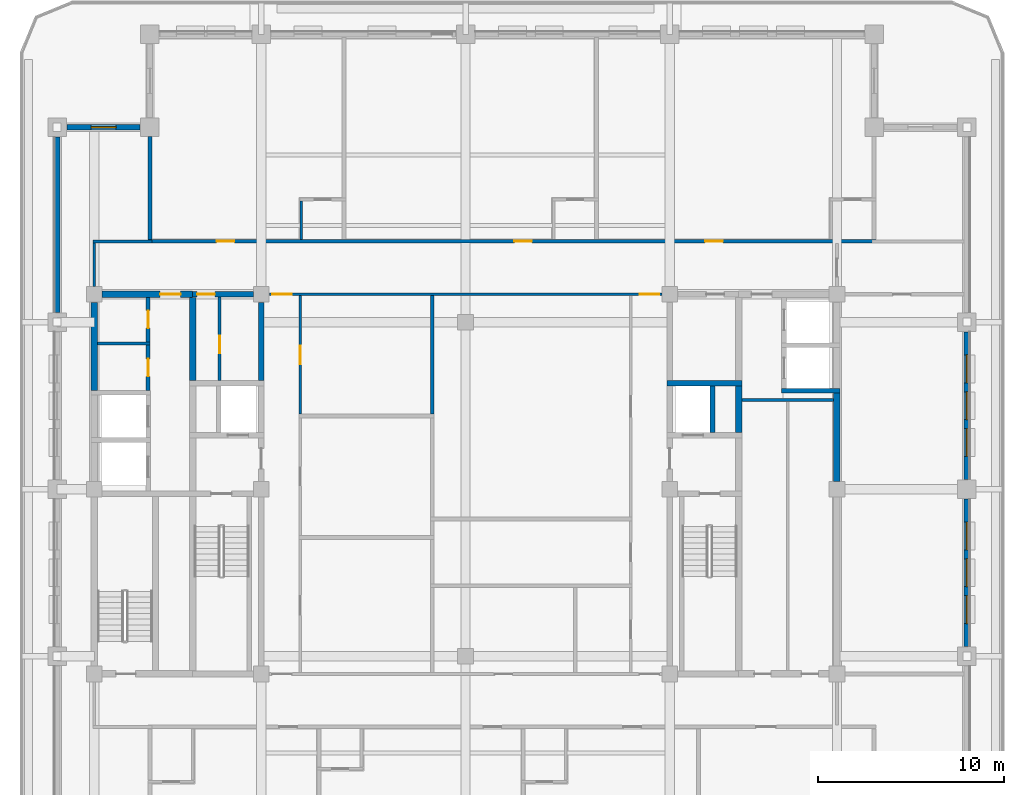
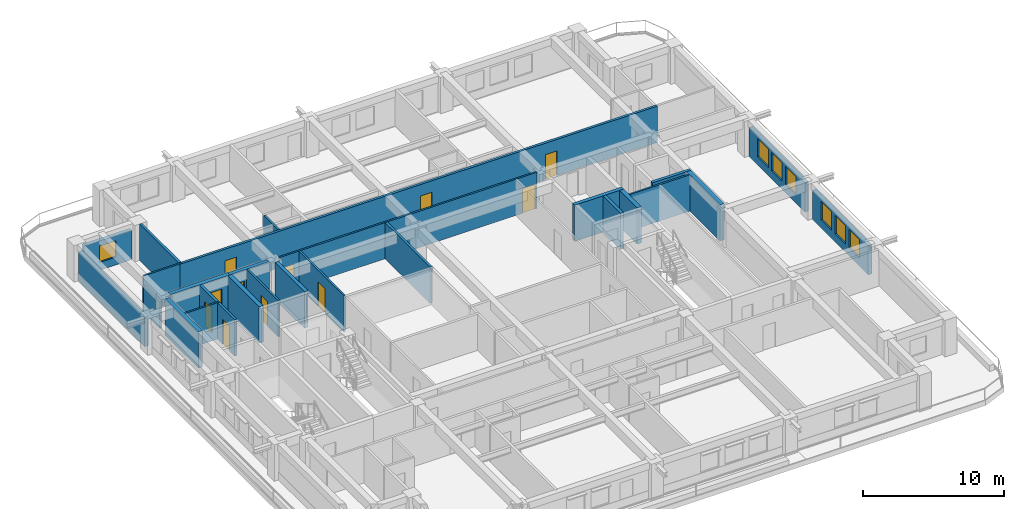
# One storey, part 5 of 13: 27 walls, 11 doors, 7 windows, 18 openings.
"""IFC4 building model written with IfcOpenShell, lengths in metres."""

from ifc_helpers import new_model, si_unit, direction, frame, frame_2d, origin, place, context, subcontext, project, spatial, rectangle, extrude, material, layer, layer_set, type_object, element, fill, save


model = new_model("IFC4")

# Units and contexts
model_context = context("Model", 3, precision=1e-05, world=origin(), true_north=direction((0.0, 1.0)))
body_context = subcontext(model_context, "Body", "Model", "MODEL_VIEW")
ifc_project = project(units=[si_unit("LENGTHUNIT", "METRE"), si_unit("AREAUNIT", "SQUARE_METRE"), si_unit("VOLUMEUNIT", "CUBIC_METRE"), si_unit("PLANEANGLEUNIT", "RADIAN"), si_unit("MASSUNIT", "GRAM", prefix="KILO")], contexts=[model_context])

# Site, building, storey
site_placement = place(None, origin())
site = spatial("IfcSite", under=ifc_project, at=site_placement, CompositionType="ELEMENT")
building_placement = place(site_placement, origin())
building = spatial("IfcBuilding", under=site, at=building_placement, Name="Zulmaris Gate Convention Tower", CompositionType="ELEMENT")
storey_placement = place(building_placement, frame((0.0, 0.0, 169.4599609375)))
storey = spatial("IfcBuildingStorey", under=building, at=storey_placement, Name="L43", CompositionType="ELEMENT", Elevation=169.4599609375)

# Walls
ifc_material_1 = material(Name="Concrete C50/60", Category="concrete")
ifc_layer_1 = layer(ifc_material_1, 0.25, Name="Concrete C50/60")
ifc_layer_set_1 = layer_set([ifc_layer_1], Name="Concrete C50/60")
wall_type_1 = type_object("IfcWallType", Name="CORE-250", PredefinedType="SOLIDWALL", material=ifc_layer_set_1)
wall_1_placement = place(storey_placement, frame((17.02490234375, 5.300048828125, 0.0), z_axis=(0.0, 0.0, 1.0), x_axis=(1.0, 0.0, 0.0)))
element("IfcWall", 1, at=wall_1_placement, inside=storey, type_object=wall_type_1, Name="WL-L43-011", PredefinedType="SOLIDWALL", context=body_context, shape_type="SweptSolid", body=[
    extrude(rectangle(XDim=3.150146484375, YDim=0.25, at=frame_2d((1.5751953125, 0.0))), origin(), (0.0, 0.0, 1.0), 3.14990234375),
])
wall_2_placement = place(storey_placement, frame((13.300048828125, 3.052001953125, 0.0), z_axis=(0.0, 0.0, 1.0), x_axis=(0.0, 1.0, 0.0)))
element("IfcWall", 2, at=wall_2_placement, inside=storey, type_object=wall_type_1, Name="WL-L43-062", PredefinedType="SOLIDWALL", context=body_context, shape_type="SweptSolid", body=[
    extrude(rectangle(XDim=2.49609375, YDim=0.25, at=frame_2d((1.248046875, 0.0))), origin(), (0.0, 0.0, 1.0), 3.14990234375),
])
ifc_layer_2 = layer(ifc_material_1, 0.300048828125, Name="Concrete C50/60")
ifc_layer_set_2 = layer_set([ifc_layer_2], Name="Concrete C50/60")
wall_type_2 = type_object("IfcWallType", Name="CORE-300", PredefinedType="SHEAR", material=ifc_layer_set_2)
wall_3_placement = place(storey_placement, frame((10.85009765625, 5.699951171875, 0.0), z_axis=(0.0, 0.0, 1.0), x_axis=(1.0, 0.0, 0.0)))
element("IfcWall", 3, at=wall_3_placement, inside=storey, type_object=wall_type_2, Name="WL-L43-013", PredefinedType="SHEAR", context=body_context, shape_type="SweptSolid", body=[
    extrude(rectangle(XDim=4.02490234375, YDim=0.300048828125, at=frame_2d((2.012451171875, 0.0))), origin(), (0.0, 0.0, 1.0), 3.14990234375),
])

# Wall, opening, door
wall_4_placement = place(storey_placement, frame((-14.699951171875, 10.5, 0.0), z_axis=(0.0, 0.0, 1.0), x_axis=(1.0, 0.0, 0.0)))
wall_4 = element("IfcWall", 4, at=wall_4_placement, inside=storey, type_object=wall_type_2, Name="WL-L43-016", PredefinedType="SHEAR", context=body_context, shape_type="SweptSolid", body=[
    extrude(rectangle(XDim=3.27099609375, YDim=0.300048828125, at=frame_2d((1.635498046875, 0.0))), origin(), (0.0, 0.0, 1.0), 3.14990234375),
])
opening_1_placement = place(wall_4_placement, frame((0.2451171875, 0.0, 0.0)))
opening_1 = element("IfcOpeningElement", 5, at=opening_1_placement, cuts=wall_4, Name="Opening D-11", PredefinedType="OPENING", context=body_context, shape_type="SweptSolid", body=[
    extrude(rectangle(XDim=0.949951171875, YDim=2.14990234375, at=frame_2d((0.47509765625, 1.074951171875))), frame((0.0, 0.16015625, 0.0), z_axis=(0.0, -1.0, 0.0), x_axis=(1.0, 0.0, 0.0)), (0.0, 0.0, 1.0), 0.320068359375),
])
ifc_material_2 = material(Name="Fire-Rated Timber", Category="wood")
door_type_1 = type_object("IfcDoorType", Name="DR-950-FD", OperationType="NOTDEFINED", PredefinedType="DOOR", material=ifc_material_2)
door_1_placement = place(opening_1_placement, origin())
door_1 = element("IfcDoor", 6, at=door_1_placement, inside=storey, type_object=door_type_1, Name="L43 Core Mail Room Door 07", OperationType="SINGLE_SWING_RIGHT", OverallHeight=2.14990234375, OverallWidth=0.949951171875, PredefinedType="DOOR", context=body_context, shape_type="SweptSolid", body=[
    extrude(rectangle(XDim=0.949951171875, YDim=2.14990234375, at=frame_2d((0.47509765625, 1.074951171875))), frame((0.0, 0.02490234375, 0.0), z_axis=(0.0, -1.0, 0.0), x_axis=(1.0, 0.0, 0.0)), (0.0, 0.0, 1.0), 0.050048828125),
])
fill(opening_1, door_1)

# Wall
wall_5_placement = place(storey_placement, frame((-11.0, 5.85205078125, 0.0), z_axis=(0.0, 0.0, 1.0), x_axis=(0.0, 1.0, 0.0)))
element("IfcWall", 7, at=wall_5_placement, inside=storey, type_object=wall_type_2, Name="WL-L43-056", PredefinedType="SHEAR", context=body_context, shape_type="SweptSolid", body=[
    extrude(rectangle(XDim=4.218994140625, YDim=0.300048828125, at=frame_2d((2.109375, 0.0))), origin(), (0.0, 0.0, 1.0), 3.14990234375),
])

# Wall, opening, door
ifc_material_3 = material(Name="Concrete C55/67", Category="concrete")
ifc_layer_3 = layer(ifc_material_3, 0.35009765625, Name="Concrete C55/67")
ifc_layer_set_3 = layer_set([ifc_layer_3], Name="Concrete C55/67")
wall_type_3 = type_object("IfcWallType", Name="CORE-350", PredefinedType="SHEAR", material=ifc_layer_set_3)
wall_6_placement = place(storey_placement, frame((-19.571044921875, 10.5, 0.0), z_axis=(0.0, 0.0, 1.0), x_axis=(1.0, 0.0, 0.0)))
wall_6 = element("IfcWall", 8, at=wall_6_placement, inside=storey, type_object=wall_type_3, Name="WL-L43-015", PredefinedType="SHEAR", context=body_context, shape_type="SweptSolid", body=[
    extrude(rectangle(XDim=4.87109375, YDim=0.35009765625, at=frame_2d((2.435546875, 0.0))), origin(), (0.0, 0.0, 1.0), 3.14990234375),
])
opening_2_placement = place(wall_6_placement, frame((3.12109375, 0.0, 0.0)))
opening_2 = element("IfcOpeningElement", 9, at=opening_2_placement, cuts=wall_6, Name="Opening D-08", PredefinedType="OPENING", context=body_context, shape_type="SweptSolid", body=[
    extrude(rectangle(XDim=1.10009765625, YDim=2.14990234375, at=frame_2d((0.550048828125, 1.074951171875))), frame((0.0, 0.18505859375, 0.0), z_axis=(0.0, -1.0, 0.0), x_axis=(1.0, 0.0, 0.0)), (0.0, 0.0, 1.0), 0.3701171875),
])
ifc_material_4 = material(Name="Fire-Rated Steel", Category="steel")
door_type_2 = type_object("IfcDoorType", Name="DR-1100-FD", OperationType="NOTDEFINED", PredefinedType="DOOR", material=ifc_material_4)
door_2_placement = place(opening_2_placement, origin())
door_2 = element("IfcDoor", 10, at=door_2_placement, inside=storey, type_object=door_type_2, Name="L43 High-Rise West Lift Lobby Door 13", OperationType="SINGLE_SWING_RIGHT", OverallHeight=2.14990234375, OverallWidth=1.10009765625, PredefinedType="DOOR", context=body_context, shape_type="SweptSolid", body=[
    extrude(rectangle(XDim=1.10009765625, YDim=2.14990234375, at=frame_2d((0.550048828125, 1.074951171875))), frame((0.0, 0.02490234375, 0.0), z_axis=(0.0, -1.0, 0.0), x_axis=(1.0, 0.0, 0.0)), (0.0, 0.0, 1.0), 0.050048828125),
])
fill(opening_2, door_2)

# Walls
wall_7_placement = place(storey_placement, frame((-20.0, 5.326904296875, 0.0), z_axis=(0.0, 0.0, 1.0), x_axis=(0.0, 1.0, 0.0)))
element("IfcWall", 11, at=wall_7_placement, inside=storey, type_object=wall_type_3, Name="WL-L43-043", PredefinedType="SHEAR", context=body_context, shape_type="SweptSolid", body=[
    extrude(rectangle(XDim=4.744140625, YDim=0.35009765625, at=frame_2d((2.3720703125, 0.0))), origin(), (0.0, 0.0, 1.0), 3.14990234375),
])
wall_8_placement = place(storey_placement, frame((-14.699951171875, 5.85205078125, 0.0), z_axis=(0.0, 0.0, 1.0), x_axis=(0.0, 1.0, 0.0)))
element("IfcWall", 12, at=wall_8_placement, inside=storey, type_object=wall_type_3, Name="WL-L43-050", PredefinedType="SHEAR", context=body_context, shape_type="SweptSolid", body=[
    extrude(rectangle(XDim=4.470947265625, YDim=0.35009765625, at=frame_2d((2.2353515625, 0.0))), origin(), (0.0, 0.0, 1.0), 3.14990234375),
])
wall_9_placement = place(storey_placement, frame((14.699951171875, 3.052001953125, 0.0), z_axis=(0.0, 0.0, 1.0), x_axis=(0.0, 1.0, 0.0)))
element("IfcWall", 13, at=wall_9_placement, inside=storey, type_object=wall_type_3, Name="WL-L43-065", PredefinedType="SHEAR", context=body_context, shape_type="SweptSolid", body=[
    extrude(rectangle(XDim=2.49609375, YDim=0.35009765625, at=frame_2d((1.248046875, 0.0))), origin(), (0.0, 0.0, 1.0), 3.14990234375),
])
wall_10_placement = place(storey_placement, frame((20.0, 0.428955078125, 0.0), z_axis=(0.0, 0.0, 1.0), x_axis=(0.0, 1.0, 0.0)))
element("IfcWall", 14, at=wall_10_placement, inside=storey, type_object=wall_type_3, Name="WL-L43-069S1", PredefinedType="SHEAR", context=body_context, shape_type="SweptSolid", body=[
    extrude(rectangle(XDim=4.744140625, YDim=0.35009765625, at=frame_2d((2.3720703125, 0.0))), origin(), (0.0, 0.0, 1.0), 3.14990234375),
])
ifc_material_5 = material(Name="Gypsum Metal Stud Partition")
ifc_layer_4 = layer(ifc_material_5, 0.14990234375, Name="Gypsum Metal Stud Partition")
ifc_layer_set_4 = layer_set([ifc_layer_4], Name="Gypsum Metal Stud Partition")
wall_type_4 = type_object("IfcWallType", Name="PART-150", PredefinedType="PARTITIONING", material=ifc_layer_set_4)
wall_11_placement = place(storey_placement, frame((14.8779296875, 4.800048828125, 0.0), z_axis=(0.0, 0.0, 1.0), x_axis=(1.0, 0.0, 0.0)))
element("IfcWall", 15, at=wall_11_placement, inside=storey, type_object=wall_type_4, Name="WL-L43-030", PredefinedType="PARTITIONING", context=body_context, shape_type="SweptSolid", body=[
    extrude(rectangle(XDim=4.944091796875, YDim=0.14990234375, at=frame_2d((2.47216796875, 0.0))), origin(), (0.0, 0.0, 1.0), 3.14990234375),
])
wall_12_placement = place(storey_placement, frame((-19.822021484375, 7.85009765625, 0.0), z_axis=(0.0, 0.0, 1.0), x_axis=(1.0, 0.0, 0.0)))
element("IfcWall", 16, at=wall_12_placement, inside=storey, type_object=wall_type_4, Name="WL-L43-031", PredefinedType="PARTITIONING", context=body_context, shape_type="SweptSolid", body=[
    extrude(rectangle(XDim=2.822021484375, YDim=0.14990234375, at=frame_2d((1.4111328125, 0.0))), origin(), (0.0, 0.0, 1.0), 3.14990234375),
])

# Wall, openings, doors
wall_13_placement = place(storey_placement, frame((-10.569091796875, 10.5, 0.0), z_axis=(0.0, 0.0, 1.0), x_axis=(1.0, 0.0, 0.0)))
wall_13 = element("IfcWall", 17, at=wall_13_placement, inside=storey, type_object=wall_type_4, Name="WL-L43-032", PredefinedType="PARTITIONING", context=body_context, shape_type="SweptSolid", body=[
    extrude(rectangle(XDim=21.13818359375, YDim=0.14990234375, at=frame_2d((10.569091796875, 0.0))), origin(), (0.0, 0.0, 1.0), 3.14990234375),
])
opening_3_placement = place(wall_13_placement, frame((0.14990234375, 0.0, 0.0)))
opening_3 = element("IfcOpeningElement", 18, at=opening_3_placement, cuts=wall_13, Name="Opening D-09", PredefinedType="OPENING", context=body_context, shape_type="SweptSolid", body=[
    extrude(rectangle(XDim=1.050048828125, YDim=2.14990234375, at=frame_2d((0.52490234375, 1.074951171875))), frame((0.0, 0.0849609375, 0.0), z_axis=(0.0, -1.0, 0.0), x_axis=(1.0, 0.0, 0.0)), (0.0, 0.0, 1.0), 0.169921875),
])
opening_4_placement = place(wall_13_placement, frame((19.93798828125, 0.0, 0.0)))
opening_4 = element("IfcOpeningElement", 19, at=opening_4_placement, cuts=wall_13, Name="Opening D-09", PredefinedType="OPENING", context=body_context, shape_type="SweptSolid", body=[
    extrude(rectangle(XDim=1.050048828125, YDim=2.14990234375, at=frame_2d((0.52490234375, 1.074951171875))), frame((0.0, 0.0849609375, 0.0), z_axis=(0.0, -1.0, 0.0), x_axis=(1.0, 0.0, 0.0)), (0.0, 0.0, 1.0), 0.169921875),
])
door_type_3 = type_object("IfcDoorType", Name="DR-1050-FD", OperationType="NOTDEFINED", PredefinedType="DOOR", material=ifc_material_4)
door_3_placement = place(opening_3_placement, origin())
door_3 = element("IfcDoor", 20, at=door_3_placement, inside=storey, type_object=door_type_3, Name="L43 NW Hotel Loop Door 21", OperationType="SINGLE_SWING_RIGHT", OverallHeight=2.14990234375, OverallWidth=1.050048828125, PredefinedType="DOOR", context=body_context, shape_type="SweptSolid", body=[
    extrude(rectangle(XDim=1.050048828125, YDim=2.14990234375, at=frame_2d((0.52490234375, 1.074951171875))), frame((0.0, 0.02490234375, 0.0), z_axis=(0.0, -1.0, 0.0), x_axis=(1.0, 0.0, 0.0)), (0.0, 0.0, 1.0), 0.050048828125),
])
fill(opening_3, door_3)
door_4_placement = place(opening_4_placement, origin())
door_4 = element("IfcDoor", 21, at=door_4_placement, inside=storey, type_object=door_type_3, Name="L43 NE Hotel Loop Door 23", OperationType="SINGLE_SWING_RIGHT", OverallHeight=2.14990234375, OverallWidth=1.050048828125, PredefinedType="DOOR", context=body_context, shape_type="SweptSolid", body=[
    extrude(rectangle(XDim=1.050048828125, YDim=2.14990234375, at=frame_2d((0.52490234375, 1.074951171875))), frame((0.0, 0.02490234375, 0.0), z_axis=(0.0, -1.0, 0.0), x_axis=(1.0, 0.0, 0.0)), (0.0, 0.0, 1.0), 0.050048828125),
])
fill(opening_4, door_4)

# Walls
wall_14_placement = place(storey_placement, frame((-20.074951171875, 13.35009765625, 0.0), z_axis=(0.0, 0.0, 1.0), x_axis=(1.0, 0.0, 0.0)))
element("IfcWall", 22, at=wall_14_placement, inside=storey, type_object=wall_type_4, Name="WL-L43-034", PredefinedType="PARTITIONING", context=body_context, shape_type="SweptSolid", body=[
    extrude(rectangle(XDim=3.175048828125, YDim=0.14990234375, at=frame_2d((1.58740234375, 0.0))), origin(), (0.0, 0.0, 1.0), 3.14990234375),
])
wall_15_placement = place(storey_placement, frame((-20.0, 10.930908203125, 0.0), z_axis=(0.0, 0.0, 1.0), x_axis=(0.0, 1.0, 0.0)))
element("IfcWall", 23, at=wall_15_placement, inside=storey, type_object=wall_type_4, Name="WL-L43-073", PredefinedType="PARTITIONING", context=body_context, shape_type="SweptSolid", body=[
    extrude(rectangle(XDim=2.341064453125, YDim=0.14990234375, at=frame_2d((1.17041015625, 0.0))), origin(), (0.0, 0.0, 1.0), 2.342041015625),
])

# Wall, opening, door
wall_16_placement = place(storey_placement, frame((-13.25, 5.85302734375, 0.0), z_axis=(0.0, 0.0, 1.0), x_axis=(0.0, 1.0, 0.0)))
wall_16 = element("IfcWall", 24, at=wall_16_placement, inside=storey, type_object=wall_type_4, Name="WL-L43-080", PredefinedType="PARTITIONING", context=body_context, shape_type="SweptSolid", body=[
    extrude(rectangle(XDim=4.493896484375, YDim=0.14990234375, at=frame_2d((2.2470703125, 0.0))), origin(), (0.0, 0.0, 1.0), 3.14990234375),
])
opening_5_placement = place(wall_16_placement, frame((1.471923828125, 0.0, 0.0)))
opening_5 = element("IfcOpeningElement", 25, at=opening_5_placement, cuts=wall_16, Name="Opening D-11", PredefinedType="OPENING", context=body_context, shape_type="SweptSolid", body=[
    extrude(rectangle(XDim=0.949951171875, YDim=2.14990234375, at=frame_2d((0.47509765625, 1.074951171875))), frame((0.0, 0.0849609375, 0.0), z_axis=(0.0, -1.0, 0.0), x_axis=(1.0, 0.0, 0.0)), (0.0, 0.0, 1.0), 0.169921875),
])
door_5_placement = place(opening_5_placement, origin())
door_5 = element("IfcDoor", 26, at=door_5_placement, inside=storey, type_object=door_type_1, Name="L43 Core Janitor Door 08", OperationType="SINGLE_SWING_LEFT", OverallHeight=2.14990234375, OverallWidth=0.949951171875, PredefinedType="DOOR", context=body_context, shape_type="SweptSolid", body=[
    extrude(rectangle(XDim=0.949951171875, YDim=2.14990234375, at=frame_2d((0.47509765625, 1.074951171875))), frame((0.0, 0.02490234375, 0.0), z_axis=(0.0, -1.0, 0.0), x_axis=(1.0, 0.0, 0.0)), (0.0, 0.0, 1.0), 0.050048828125),
])
fill(opening_5, door_5)

wall_17_placement = place(storey_placement, frame((-8.89990234375, 4.052978515625, 0.0), z_axis=(0.0, 0.0, 1.0), x_axis=(0.0, 1.0, 0.0)))
wall_17 = element("IfcWall", 27, at=wall_17_placement, inside=storey, type_object=wall_type_4, Name="WL-L43-083", PredefinedType="PARTITIONING", context=body_context, shape_type="SweptSolid", body=[
    extrude(rectangle(XDim=6.369140625, YDim=0.14990234375, at=frame_2d((3.1845703125, 0.0))), origin(), (0.0, 0.0, 1.0), 3.14990234375),
])
opening_6_placement = place(wall_17_placement, frame((2.6669921875, 0.0, 0.0)))
opening_6 = element("IfcOpeningElement", 28, at=opening_6_placement, cuts=wall_17, Name="Opening D-10", PredefinedType="OPENING", context=body_context, shape_type="SweptSolid", body=[
    extrude(rectangle(XDim=1.0, YDim=2.14990234375, at=frame_2d((0.5, 1.074951171875))), frame((0.0, 0.0849609375, 0.0), z_axis=(0.0, -1.0, 0.0), x_axis=(1.0, 0.0, 0.0)), (0.0, 0.0, 1.0), 0.169921875),
])
door_type_4 = type_object("IfcDoorType", Name="DR-1000-FD", OperationType="NOTDEFINED", PredefinedType="DOOR", material=ifc_material_2)
door_6_placement = place(opening_6_placement, origin())
door_6 = element("IfcDoor", 29, at=door_6_placement, inside=storey, type_object=door_type_4, Name="L43 Club Lounge Door 38", OperationType="SINGLE_SWING_LEFT", OverallHeight=2.14990234375, OverallWidth=1.0, PredefinedType="DOOR", context=body_context, shape_type="SweptSolid", body=[
    extrude(rectangle(XDim=1.0, YDim=2.14990234375, at=frame_2d((0.5, 1.074951171875))), frame((0.0, 0.02490234375, 0.0), z_axis=(0.0, -1.0, 0.0), x_axis=(1.0, 0.0, 0.0)), (0.0, 0.0, 1.0), 0.050048828125),
])
fill(opening_6, door_6)

# Wall
wall_18_placement = place(storey_placement, frame((-8.85009765625, 13.452880859375, 0.0), z_axis=(0.0, 0.0, 1.0), x_axis=(0.0, 1.0, 0.0)))
element("IfcWall", 30, at=wall_18_placement, inside=storey, type_object=wall_type_4, Name="WL-L43-084", PredefinedType="PARTITIONING", context=body_context, shape_type="SweptSolid", body=[
    extrude(rectangle(XDim=2.069091796875, YDim=0.14990234375, at=frame_2d((1.03466796875, 0.0))), origin(), (0.0, 0.0, 1.0), 3.14990234375),
])

# Wall, openings, doors
ifc_material_6 = material(Name="Autoclaved Aerated Concrete Block and Plasterboard", Category="concrete")
ifc_layer_5 = layer(ifc_material_6, 0.199951171875, Name="Autoclaved Aerated Concrete Block and Plasterboard")
ifc_layer_set_5 = layer_set([ifc_layer_5], Name="Autoclaved Aerated Concrete Block and Plasterboard")
wall_type_5 = type_object("IfcWallType", Name="PART-200", PredefinedType="PARTITIONING", material=ifc_layer_set_5)
wall_19_placement = place(storey_placement, frame((-17.10009765625, 13.35009765625, 0.0), z_axis=(0.0, 0.0, 1.0), x_axis=(1.0, 0.0, 0.0)))
wall_19 = element("IfcWall", 31, at=wall_19_placement, inside=storey, type_object=wall_type_5, Name="WL-L43-035", PredefinedType="PARTITIONING", context=body_context, shape_type="SweptSolid", body=[
    extrude(rectangle(XDim=39.2001953125, YDim=0.199951171875, at=frame_2d((19.60009765625, 0.0))), origin(), (0.0, 0.0, 1.0), 3.14990234375),
])
opening_7_placement = place(wall_19_placement, frame((3.695068359375, 0.0, 0.0)))
opening_7 = element("IfcOpeningElement", 32, at=opening_7_placement, cuts=wall_19, Name="Opening D-11", PredefinedType="OPENING", context=body_context, shape_type="SweptSolid", body=[
    extrude(rectangle(XDim=0.949951171875, YDim=2.14990234375, at=frame_2d((0.47509765625, 1.074951171875))), frame((0.0, 0.10986328125, 0.0), z_axis=(0.0, -1.0, 0.0), x_axis=(1.0, 0.0, 0.0)), (0.0, 0.0, 1.0), 0.219970703125),
])
opening_8_placement = place(wall_19_placement, frame((19.72509765625, 0.0, 0.0)))
opening_8 = element("IfcOpeningElement", 33, at=opening_8_placement, cuts=wall_19, Name="Opening D-11", PredefinedType="OPENING", context=body_context, shape_type="SweptSolid", body=[
    extrude(rectangle(XDim=0.949951171875, YDim=2.14990234375, at=frame_2d((0.47509765625, 1.074951171875))), frame((0.0, 0.10986328125, 0.0), z_axis=(0.0, -1.0, 0.0), x_axis=(1.0, 0.0, 0.0)), (0.0, 0.0, 1.0), 0.219970703125),
])
opening_9_placement = place(wall_19_placement, frame((30.0048828125, 0.0, 0.0)))
opening_9 = element("IfcOpeningElement", 34, at=opening_9_placement, cuts=wall_19, Name="Opening D-11", PredefinedType="OPENING", context=body_context, shape_type="SweptSolid", body=[
    extrude(rectangle(XDim=0.949951171875, YDim=2.14990234375, at=frame_2d((0.47509765625, 1.074951171875))), frame((0.0, 0.10986328125, 0.0), z_axis=(0.0, -1.0, 0.0), x_axis=(1.0, 0.0, 0.0)), (0.0, 0.0, 1.0), 0.219970703125),
])
door_7_placement = place(opening_7_placement, origin())
door_7 = element("IfcDoor", 35, at=door_7_placement, inside=storey, type_object=door_type_1, Name="L43 Hotel Diplomatic Suite Door 25", OperationType="SINGLE_SWING_RIGHT", OverallHeight=2.14990234375, OverallWidth=0.949951171875, PredefinedType="DOOR", context=body_context, shape_type="SweptSolid", body=[
    extrude(rectangle(XDim=0.949951171875, YDim=2.14990234375, at=frame_2d((0.47509765625, 1.074951171875))), frame((0.0, 0.02490234375, 0.0), z_axis=(0.0, -1.0, 0.0), x_axis=(1.0, 0.0, 0.0)), (0.0, 0.0, 1.0), 0.050048828125),
])
fill(opening_7, door_7)
door_8_placement = place(opening_8_placement, origin())
door_8 = element("IfcDoor", 36, at=door_8_placement, inside=storey, type_object=door_type_1, Name="L43 Hotel Diplomatic Suite Door 27", OperationType="SINGLE_SWING_RIGHT", OverallHeight=2.14990234375, OverallWidth=0.949951171875, PredefinedType="DOOR", context=body_context, shape_type="SweptSolid", body=[
    extrude(rectangle(XDim=0.949951171875, YDim=2.14990234375, at=frame_2d((0.47509765625, 1.074951171875))), frame((0.0, 0.02490234375, 0.0), z_axis=(0.0, -1.0, 0.0), x_axis=(1.0, 0.0, 0.0)), (0.0, 0.0, 1.0), 0.050048828125),
])
fill(opening_8, door_8)
door_9_placement = place(opening_9_placement, origin())
door_9 = element("IfcDoor", 37, at=door_9_placement, inside=storey, type_object=door_type_1, Name="L43 Hotel Diplomatic Suite Door 29", OperationType="SINGLE_SWING_RIGHT", OverallHeight=2.14990234375, OverallWidth=0.949951171875, PredefinedType="DOOR", context=body_context, shape_type="SweptSolid", body=[
    extrude(rectangle(XDim=0.949951171875, YDim=2.14990234375, at=frame_2d((0.47509765625, 1.074951171875))), frame((0.0, 0.02490234375, 0.0), z_axis=(0.0, -1.0, 0.0), x_axis=(1.0, 0.0, 0.0)), (0.0, 0.0, 1.0), 0.050048828125),
])
fill(opening_9, door_9)

# Wall, opening, door
wall_20_placement = place(storey_placement, frame((-17.10009765625, 5.327880859375, 0.0), z_axis=(0.0, 0.0, 1.0), x_axis=(0.0, 1.0, 0.0)))
wall_20 = element("IfcWall", 38, at=wall_20_placement, inside=storey, type_object=wall_type_5, Name="WL-L43-074", PredefinedType="PARTITIONING", context=body_context, shape_type="SweptSolid", body=[
    extrude(rectangle(XDim=2.444091796875, YDim=0.199951171875, at=frame_2d((1.22216796875, 0.0))), origin(), (0.0, 0.0, 1.0), 3.14990234375),
])
opening_10_placement = place(wall_20_placement, frame((0.7470703125, 0.0, 0.0)))
opening_10 = element("IfcOpeningElement", 39, at=opening_10_placement, cuts=wall_20, Name="Opening D-11", PredefinedType="OPENING", context=body_context, shape_type="SweptSolid", body=[
    extrude(rectangle(XDim=0.949951171875, YDim=2.14990234375, at=frame_2d((0.47509765625, 1.074951171875))), frame((0.0, 0.10986328125, 0.0), z_axis=(0.0, -1.0, 0.0), x_axis=(1.0, 0.0, 0.0)), (0.0, 0.0, 1.0), 0.219970703125),
])
door_10_placement = place(opening_10_placement, origin())
door_10 = element("IfcDoor", 40, at=door_10_placement, inside=storey, type_object=door_type_1, Name="L43 Valet Closet Door 15", OperationType="SINGLE_SWING_RIGHT", OverallHeight=2.14990234375, OverallWidth=0.949951171875, PredefinedType="DOOR", context=body_context, shape_type="SweptSolid", body=[
    extrude(rectangle(XDim=0.949951171875, YDim=2.14990234375, at=frame_2d((0.47509765625, 1.074951171875))), frame((0.0, 0.02490234375, 0.0), z_axis=(0.0, -1.0, 0.0), x_axis=(1.0, 0.0, 0.0)), (0.0, 0.0, 1.0), 0.050048828125),
])
fill(opening_10, door_10)

wall_21_placement = place(storey_placement, frame((-17.10009765625, 7.927978515625, 0.0), z_axis=(0.0, 0.0, 1.0), x_axis=(0.0, 1.0, 0.0)))
wall_21 = element("IfcWall", 41, at=wall_21_placement, inside=storey, type_object=wall_type_5, Name="WL-L43-075", PredefinedType="PARTITIONING", context=body_context, shape_type="SweptSolid", body=[
    extrude(rectangle(XDim=2.39404296875, YDim=0.199951171875, at=frame_2d((1.197021484375, 0.0))), origin(), (0.0, 0.0, 1.0), 3.14990234375),
])
opening_11_placement = place(wall_21_placement, frame((0.7470703125, 0.0, 0.0)))
opening_11 = element("IfcOpeningElement", 42, at=opening_11_placement, cuts=wall_21, Name="Opening D-11", PredefinedType="OPENING", context=body_context, shape_type="SweptSolid", body=[
    extrude(rectangle(XDim=0.949951171875, YDim=2.14990234375, at=frame_2d((0.47509765625, 1.074951171875))), frame((0.0, 0.10986328125, 0.0), z_axis=(0.0, -1.0, 0.0), x_axis=(1.0, 0.0, 0.0)), (0.0, 0.0, 1.0), 0.219970703125),
])
door_11_placement = place(opening_11_placement, origin())
door_11 = element("IfcDoor", 43, at=door_11_placement, inside=storey, type_object=door_type_1, Name="L43 Housekeeping Door 14", OperationType="SINGLE_SWING_LEFT", OverallHeight=2.14990234375, OverallWidth=0.949951171875, PredefinedType="DOOR", context=body_context, shape_type="SweptSolid", body=[
    extrude(rectangle(XDim=0.949951171875, YDim=2.14990234375, at=frame_2d((0.47509765625, 1.074951171875))), frame((0.0, 0.02490234375, 0.0), z_axis=(0.0, -1.0, 0.0), x_axis=(1.0, 0.0, 0.0)), (0.0, 0.0, 1.0), 0.050048828125),
])
fill(opening_11, door_11)

# Walls
wall_22_placement = place(storey_placement, frame((-17.0, 13.452880859375, 0.0), z_axis=(0.0, 0.0, 1.0), x_axis=(0.0, 1.0, 0.0)))
element("IfcWall", 44, at=wall_22_placement, inside=storey, type_object=wall_type_5, Name="WL-L43-078", PredefinedType="PARTITIONING", context=body_context, shape_type="SweptSolid", body=[
    extrude(rectangle(XDim=5.541015625, YDim=0.199951171875, at=frame_2d((2.7705078125, 0.0))), origin(), (0.0, 0.0, 1.0), 3.14990234375),
])
wall_23_placement = place(storey_placement, frame((-1.800048828125, 4.052978515625, 0.0), z_axis=(0.0, 0.0, 1.0), x_axis=(0.0, 1.0, 0.0)))
element("IfcWall", 45, at=wall_23_placement, inside=storey, type_object=wall_type_5, Name="WL-L43-094", PredefinedType="PARTITIONING", context=body_context, shape_type="SweptSolid", body=[
    extrude(rectangle(XDim=6.369140625, YDim=0.199951171875, at=frame_2d((3.1845703125, 0.0))), origin(), (0.0, 0.0, 1.0), 3.14990234375),
])

# Wall, opening, window
ifc_material_7 = material(Name="Precast concrete C40/50", Category="concrete")
ifc_layer_6 = layer(ifc_material_7, 0.300048828125, Name="Precast concrete C40/50")
ifc_layer_set_6 = layer_set([ifc_layer_6], Name="Precast concrete C40/50")
wall_type_6 = type_object("IfcWallType", Name="PRECAST-PIER-300", PredefinedType="STANDARD", material=ifc_layer_set_6)
wall_24_placement = place(storey_placement, frame((-17.530029296875, 19.5, 0.0), z_axis=(0.0, 0.0, 1.0), x_axis=(-1.0, 0.0, 0.0)))
wall_24 = element("IfcWall", 46, at=wall_24_placement, inside=storey, type_object=wall_type_6, Name="EW-L43-NOTCH-NW2_0", PredefinedType="STANDARD", context=body_context, shape_type="SweptSolid", body=[
    extrude(rectangle(XDim=3.93994140625, YDim=0.300048828125, at=frame_2d((1.969970703125, 0.0))), origin(), (0.0, 0.0, 1.0), 2.5419921875),
])
opening_12_placement = place(wall_24_placement, frame((1.294921875, 0.0, 0.679931640625)))
opening_12 = element("IfcOpeningElement", 47, at=opening_12_placement, cuts=wall_24, Name="Opening W-10", PredefinedType="OPENING", context=body_context, shape_type="SweptSolid", body=[
    extrude(rectangle(XDim=1.35009765625, YDim=1.419921875, at=frame_2d((0.675048828125, 0.7099609375))), frame((0.0, 0.16015625, 0.0), z_axis=(0.0, -1.0, 0.0), x_axis=(1.0, 0.0, 0.0)), (0.0, 0.0, 1.0), 0.320068359375),
])
ifc_material_8 = material(Name="Low-E Laminated Double Glazing in Aluminium Frame", Category="aluminium")
window_type_1 = type_object("IfcWindowType", Name="WIN-1350x2000", PartitioningType="SINGLE_PANEL", PredefinedType="WINDOW", material=ifc_material_8)
window_1_placement = place(opening_12_placement, origin())
window_1 = element("IfcWindow", 48, at=window_1_placement, inside=storey, type_object=window_type_1, Name="WN-EW-L43-NOTCH-NW2_0", OverallHeight=1.419921875, OverallWidth=1.35009765625, PartitioningType="SINGLE_PANEL", PredefinedType="WINDOW", context=body_context, shape_type="SweptSolid", body=[
    extrude(rectangle(XDim=1.35009765625, YDim=1.419921875, at=frame_2d((0.675048828125, 0.7099609375))), frame((0.0, 0.030029296875, 0.0), z_axis=(0.0, -1.0, 0.0), x_axis=(1.0, 0.0, 0.0)), (0.0, 0.0, 1.0), 0.06005859375),
])
fill(opening_12, window_1)

# Wall, openings, windows
wall_25_placement = place(storey_placement, frame((27.0, -8.469970703125, 0.0), z_axis=(0.0, 0.0, 1.0), x_axis=(0.0, 1.0, 0.0)))
wall_25 = element("IfcWall", 49, at=wall_25_placement, inside=storey, type_object=wall_type_6, Name="EW-L43-E-1_0", PredefinedType="STANDARD", context=body_context, shape_type="SweptSolid", body=[
    extrude(rectangle(XDim=7.93994140625, YDim=0.300048828125, at=frame_2d((3.969970703125, 0.0))), origin(), (0.0, 0.0, 1.0), 2.5419921875),
])
opening_13_placement = place(wall_25_placement, frame((1.235107421875, 0.0, 0.719970703125)))
opening_13 = element("IfcOpeningElement", 50, at=opening_13_placement, cuts=wall_25, Name="Opening W-03", PredefinedType="OPENING", context=body_context, shape_type="SweptSolid", body=[
    extrude(rectangle(XDim=1.5, YDim=1.60009765625, at=frame_2d((0.75, 0.800048828125))), frame((0.0, 0.16015625, 0.0), z_axis=(0.0, -1.0, 0.0), x_axis=(1.0, 0.0, 0.0)), (0.0, 0.0, 1.0), 0.320068359375),
])
opening_14_placement = place(wall_25_placement, frame((3.219970703125, 0.0, 0.719970703125)))
opening_14 = element("IfcOpeningElement", 51, at=opening_14_placement, cuts=wall_25, Name="Opening W-03", PredefinedType="OPENING", context=body_context, shape_type="SweptSolid", body=[
    extrude(rectangle(XDim=1.5, YDim=1.60009765625, at=frame_2d((0.75, 0.800048828125))), frame((0.0, 0.16015625, 0.0), z_axis=(0.0, -1.0, 0.0), x_axis=(1.0, 0.0, 0.0)), (0.0, 0.0, 1.0), 0.320068359375),
])
opening_15_placement = place(wall_25_placement, frame((5.205078125, 0.0, 0.719970703125)))
opening_15 = element("IfcOpeningElement", 52, at=opening_15_placement, cuts=wall_25, Name="Opening W-03", PredefinedType="OPENING", context=body_context, shape_type="SweptSolid", body=[
    extrude(rectangle(XDim=1.5, YDim=1.60009765625, at=frame_2d((0.75, 0.800048828125))), frame((0.0, 0.16015625, 0.0), z_axis=(0.0, -1.0, 0.0), x_axis=(1.0, 0.0, 0.0)), (0.0, 0.0, 1.0), 0.320068359375),
])
window_type_2 = type_object("IfcWindowType", Name="WIN-1500x2100", PartitioningType="SINGLE_PANEL", PredefinedType="WINDOW", material=ifc_material_8)
window_2_placement = place(opening_13_placement, origin())
window_2 = element("IfcWindow", 53, at=window_2_placement, inside=storey, type_object=window_type_2, Name="WN-EW-L43-E-1_0-1", OverallHeight=1.60009765625, OverallWidth=1.5, PartitioningType="SINGLE_PANEL", PredefinedType="WINDOW", context=body_context, shape_type="SweptSolid", body=[
    extrude(rectangle(XDim=1.5, YDim=1.60009765625, at=frame_2d((0.75, 0.800048828125))), frame((0.0, 0.030029296875, 0.0), z_axis=(0.0, -1.0, 0.0), x_axis=(1.0, 0.0, 0.0)), (0.0, 0.0, 1.0), 0.06005859375),
])
fill(opening_13, window_2)
window_3_placement = place(opening_14_placement, origin())
window_3 = element("IfcWindow", 54, at=window_3_placement, inside=storey, type_object=window_type_2, Name="WN-EW-L43-E-1_0-2", OverallHeight=1.60009765625, OverallWidth=1.5, PartitioningType="SINGLE_PANEL", PredefinedType="WINDOW", context=body_context, shape_type="SweptSolid", body=[
    extrude(rectangle(XDim=1.5, YDim=1.60009765625, at=frame_2d((0.75, 0.800048828125))), frame((0.0, 0.030029296875, 0.0), z_axis=(0.0, -1.0, 0.0), x_axis=(1.0, 0.0, 0.0)), (0.0, 0.0, 1.0), 0.06005859375),
])
fill(opening_14, window_3)
window_4_placement = place(opening_15_placement, origin())
window_4 = element("IfcWindow", 55, at=window_4_placement, inside=storey, type_object=window_type_2, Name="WN-EW-L43-E-1_0-3", OverallHeight=1.60009765625, OverallWidth=1.5, PartitioningType="SINGLE_PANEL", PredefinedType="WINDOW", context=body_context, shape_type="SweptSolid", body=[
    extrude(rectangle(XDim=1.5, YDim=1.60009765625, at=frame_2d((0.75, 0.800048828125))), frame((0.0, 0.030029296875, 0.0), z_axis=(0.0, -1.0, 0.0), x_axis=(1.0, 0.0, 0.0)), (0.0, 0.0, 1.0), 0.06005859375),
])
fill(opening_15, window_4)

wall_26_placement = place(storey_placement, frame((27.0, 0.530029296875, 0.0), z_axis=(0.0, 0.0, 1.0), x_axis=(0.0, 1.0, 0.0)))
wall_26 = element("IfcWall", 56, at=wall_26_placement, inside=storey, type_object=wall_type_6, Name="EW-L43-E-2_0", PredefinedType="STANDARD", context=body_context, shape_type="SweptSolid", body=[
    extrude(rectangle(XDim=7.93994140625, YDim=0.300048828125, at=frame_2d((3.969970703125, 0.0))), origin(), (0.0, 0.0, 1.0), 2.5419921875),
])
opening_16_placement = place(wall_26_placement, frame((1.235107421875, 0.0, 0.719970703125)))
opening_16 = element("IfcOpeningElement", 57, at=opening_16_placement, cuts=wall_26, Name="Opening W-03", PredefinedType="OPENING", context=body_context, shape_type="SweptSolid", body=[
    extrude(rectangle(XDim=1.5, YDim=1.60009765625, at=frame_2d((0.75, 0.800048828125))), frame((0.0, 0.16015625, 0.0), z_axis=(0.0, -1.0, 0.0), x_axis=(1.0, 0.0, 0.0)), (0.0, 0.0, 1.0), 0.320068359375),
])
opening_17_placement = place(wall_26_placement, frame((3.219970703125, 0.0, 0.719970703125)))
opening_17 = element("IfcOpeningElement", 58, at=opening_17_placement, cuts=wall_26, Name="Opening W-03", PredefinedType="OPENING", context=body_context, shape_type="SweptSolid", body=[
    extrude(rectangle(XDim=1.5, YDim=1.60009765625, at=frame_2d((0.75, 0.800048828125))), frame((0.0, 0.16015625, 0.0), z_axis=(0.0, -1.0, 0.0), x_axis=(1.0, 0.0, 0.0)), (0.0, 0.0, 1.0), 0.320068359375),
])
opening_18_placement = place(wall_26_placement, frame((5.205078125, 0.0, 0.719970703125)))
opening_18 = element("IfcOpeningElement", 59, at=opening_18_placement, cuts=wall_26, Name="Opening W-03", PredefinedType="OPENING", context=body_context, shape_type="SweptSolid", body=[
    extrude(rectangle(XDim=1.5, YDim=1.60009765625, at=frame_2d((0.75, 0.800048828125))), frame((0.0, 0.16015625, 0.0), z_axis=(0.0, -1.0, 0.0), x_axis=(1.0, 0.0, 0.0)), (0.0, 0.0, 1.0), 0.320068359375),
])
window_5_placement = place(opening_16_placement, origin())
window_5 = element("IfcWindow", 60, at=window_5_placement, inside=storey, type_object=window_type_2, Name="WN-EW-L43-E-2_0-1", OverallHeight=1.60009765625, OverallWidth=1.5, PartitioningType="SINGLE_PANEL", PredefinedType="WINDOW", context=body_context, shape_type="SweptSolid", body=[
    extrude(rectangle(XDim=1.5, YDim=1.60009765625, at=frame_2d((0.75, 0.800048828125))), frame((0.0, 0.030029296875, 0.0), z_axis=(0.0, -1.0, 0.0), x_axis=(1.0, 0.0, 0.0)), (0.0, 0.0, 1.0), 0.06005859375),
])
fill(opening_16, window_5)
window_6_placement = place(opening_17_placement, origin())
window_6 = element("IfcWindow", 61, at=window_6_placement, inside=storey, type_object=window_type_2, Name="WN-EW-L43-E-2_0-2", OverallHeight=1.60009765625, OverallWidth=1.5, PartitioningType="SINGLE_PANEL", PredefinedType="WINDOW", context=body_context, shape_type="SweptSolid", body=[
    extrude(rectangle(XDim=1.5, YDim=1.60009765625, at=frame_2d((0.75, 0.800048828125))), frame((0.0, 0.030029296875, 0.0), z_axis=(0.0, -1.0, 0.0), x_axis=(1.0, 0.0, 0.0)), (0.0, 0.0, 1.0), 0.06005859375),
])
fill(opening_17, window_6)
window_7_placement = place(opening_18_placement, origin())
window_7 = element("IfcWindow", 62, at=window_7_placement, inside=storey, type_object=window_type_2, Name="WN-EW-L43-E-2_0-3", OverallHeight=1.60009765625, OverallWidth=1.5, PartitioningType="SINGLE_PANEL", PredefinedType="WINDOW", context=body_context, shape_type="SweptSolid", body=[
    extrude(rectangle(XDim=1.5, YDim=1.60009765625, at=frame_2d((0.75, 0.800048828125))), frame((0.0, 0.030029296875, 0.0), z_axis=(0.0, -1.0, 0.0), x_axis=(1.0, 0.0, 0.0)), (0.0, 0.0, 1.0), 0.06005859375),
])
fill(opening_18, window_7)

# Wall
wall_27_placement = place(storey_placement, frame((-22.0, 18.969970703125, 0.0), z_axis=(0.0, 0.0, 1.0), x_axis=(0.0, -1.0, 0.0)))
element("IfcWall", 63, at=wall_27_placement, inside=storey, type_object=wall_type_6, Name="EW-L43-W-3_0", PredefinedType="STANDARD", context=body_context, shape_type="SweptSolid", body=[
    extrude(rectangle(XDim=9.43994140625, YDim=0.300048828125, at=frame_2d((4.719970703125, 0.0))), origin(), (0.0, 0.0, 1.0), 2.5419921875),
])

save(model, "model.ifc")
